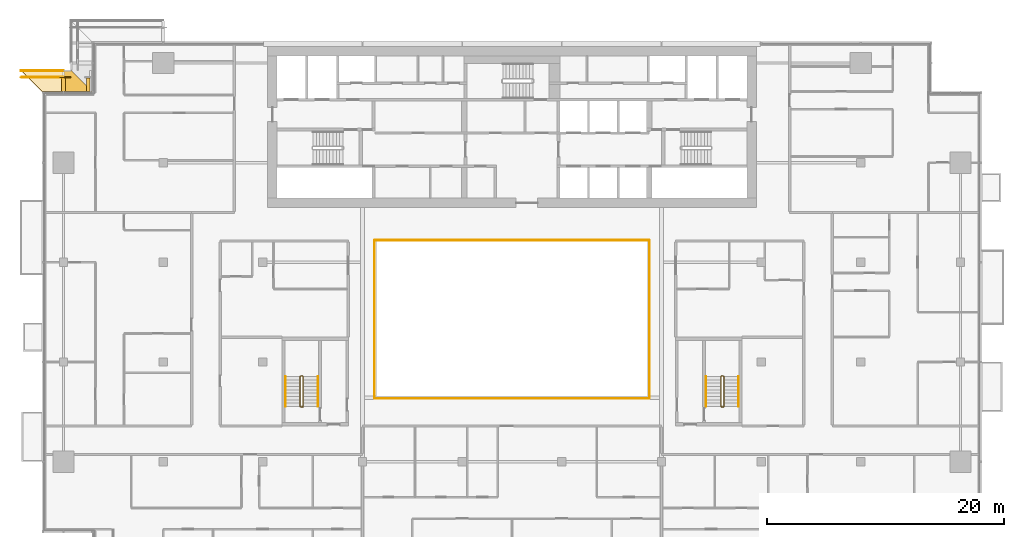
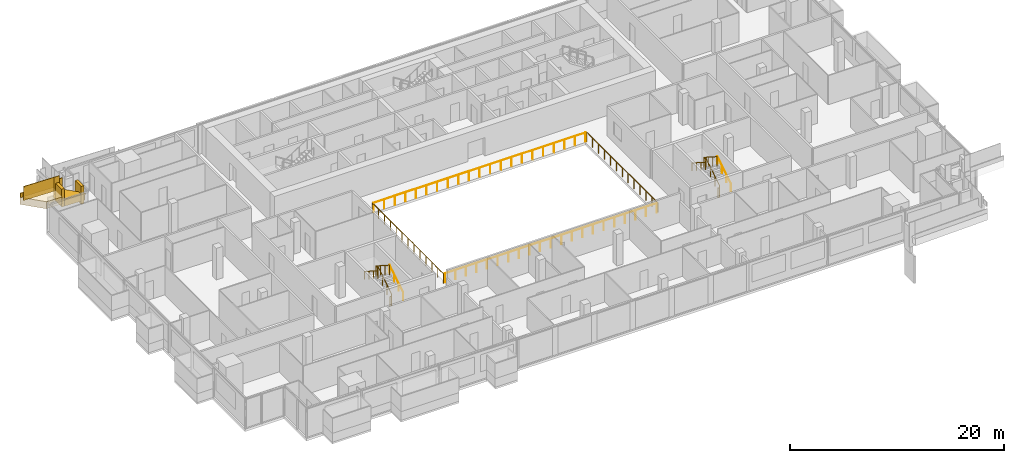
# One storey, part 26 of 30: 13 railings, 5 coverings.
"""IFC4 building model written with IfcOpenShell, lengths in metres."""

from ifc_helpers import new_model, si_unit, direction, frame, origin, origin_2d, place, context, subcontext, project, spatial, polyline, rectangle, circle, outline, extrude, material, layer, layer_set, type_object, element, save


model = new_model("IFC4")

# Units and contexts
model_context = context("Model", 3, precision=1e-05, world=origin(), true_north=direction((0.0, 1.0)))
body_context = subcontext(model_context, "Body", "Model", "MODEL_VIEW")
ifc_project = project(units=[si_unit("LENGTHUNIT", "METRE"), si_unit("AREAUNIT", "SQUARE_METRE"), si_unit("VOLUMEUNIT", "CUBIC_METRE"), si_unit("PLANEANGLEUNIT", "RADIAN"), si_unit("MASSUNIT", "GRAM", prefix="KILO")], contexts=[model_context])

# Site, building, storey
site_placement = place(None, origin())
site = spatial("IfcSite", under=ifc_project, at=site_placement, CompositionType="ELEMENT")
building_placement = place(site_placement, origin())
building = spatial("IfcBuilding", under=site, at=building_placement, Name="Saffron Gate Tower", CompositionType="ELEMENT")
storey_placement = place(building_placement, frame((0.0, 0.0, 158.25)))
storey = spatial("IfcBuildingStorey", under=building, at=storey_placement, Name="L38", CompositionType="ELEMENT", Elevation=158.25)

# Railings
ifc_material_1 = material(Name="Stainless steel and laminated glass", Category="steel")
railing_type_1 = type_object("IfcRailingType", Name="AG1 Atrium edge guard 1100", PredefinedType="GUARDRAIL", material=ifc_material_1)
railing_1_placement = place(storey_placement, frame((76.02001953125, 45.5400390625, 0.0)))
element("IfcRailing", 1, at=railing_1_placement, inside=storey, type_object=railing_type_1, Name="Guard C2-1", PredefinedType="GUARDRAIL", context=body_context, shape_type="SweptSolid", body=[
    extrude(circle(Radius=0.02392578125, at=origin_2d()), frame((0.0, 0.0, 1.076171875), z_axis=(0.0, 1.0, 0.0), x_axis=(-1.0, 0.0, 0.0)), (0.0, 0.0, 1.0), 13.320068359375),
    extrude(circle(Radius=0.02099609375, at=origin_2d()), origin(), (0.0, 0.0, 1.0), 1.052001953125),
    extrude(circle(Radius=0.02099609375, at=origin_2d()), frame((0.0, 1.110107421875, 0.0)), (0.0, 0.0, 1.0), 1.052001953125),
    extrude(circle(Radius=0.02099609375, at=origin_2d()), frame((0.0, 2.219970703125, 0.0)), (0.0, 0.0, 1.0), 1.052001953125),
    extrude(circle(Radius=0.02099609375, at=origin_2d()), frame((0.0, 3.330078125, 0.0)), (0.0, 0.0, 1.0), 1.052001953125),
    extrude(circle(Radius=0.02099609375, at=origin_2d()), frame((0.0, 4.43994140625, 0.0)), (0.0, 0.0, 1.0), 1.052001953125),
    extrude(circle(Radius=0.02099609375, at=origin_2d()), frame((0.0, 5.550048828125, 0.0)), (0.0, 0.0, 1.0), 1.052001953125),
    extrude(circle(Radius=0.02099609375, at=origin_2d()), frame((0.0, 6.66015625, 0.0)), (0.0, 0.0, 1.0), 1.052001953125),
    extrude(circle(Radius=0.02099609375, at=origin_2d()), frame((0.0, 7.77001953125, 0.0)), (0.0, 0.0, 1.0), 1.052001953125),
    extrude(circle(Radius=0.02099609375, at=origin_2d()), frame((0.0, 8.880126953125, 0.0)), (0.0, 0.0, 1.0), 1.052001953125),
    extrude(circle(Radius=0.02099609375, at=origin_2d()), frame((0.0, 9.989990234375, 0.0)), (0.0, 0.0, 1.0), 1.052001953125),
    extrude(circle(Radius=0.02099609375, at=origin_2d()), frame((0.0, 11.10009765625, 0.0)), (0.0, 0.0, 1.0), 1.052001953125),
    extrude(circle(Radius=0.02099609375, at=origin_2d()), frame((0.0, 12.2099609375, 0.0)), (0.0, 0.0, 1.0), 1.052001953125),
    extrude(circle(Radius=0.02099609375, at=origin_2d()), frame((0.0, 13.320068359375, 0.0)), (0.0, 0.0, 1.0), 1.052001953125),
])
railing_2_placement = place(storey_placement, frame((76.139892578125, 58.860107421875, 0.0)))
element("IfcRailing", 2, at=railing_2_placement, inside=storey, type_object=railing_type_1, Name="Guard C2-2", PredefinedType="GUARDRAIL", context=body_context, shape_type="SweptSolid", body=[
    extrude(circle(Radius=0.02392578125, at=origin_2d()), frame((0.0, 0.0, 1.076171875), z_axis=(1.0, 0.0, 0.0), x_axis=(0.0, 1.0, 0.0)), (0.0, 0.0, 1.0), 22.920166015625),
    extrude(circle(Radius=0.02099609375, at=origin_2d()), origin(), (0.0, 0.0, 1.0), 1.052001953125),
    extrude(circle(Radius=0.02099609375, at=origin_2d()), frame((1.14599609375, 0.0, 0.0)), (0.0, 0.0, 1.0), 1.052001953125),
    extrude(circle(Radius=0.02099609375, at=origin_2d()), frame((2.2919921875, 0.0, 0.0)), (0.0, 0.0, 1.0), 1.052001953125),
    extrude(circle(Radius=0.02099609375, at=origin_2d()), frame((3.43798828125, 0.0, 0.0)), (0.0, 0.0, 1.0), 1.052001953125),
    extrude(circle(Radius=0.02099609375, at=origin_2d()), frame((4.583984375, 0.0, 0.0)), (0.0, 0.0, 1.0), 1.052001953125),
    extrude(circle(Radius=0.02099609375, at=origin_2d()), frame((5.72998046875, 0.0, 0.0)), (0.0, 0.0, 1.0), 1.052001953125),
    extrude(circle(Radius=0.02099609375, at=origin_2d()), frame((6.8759765625, 0.0, 0.0)), (0.0, 0.0, 1.0), 1.052001953125),
    extrude(circle(Radius=0.02099609375, at=origin_2d()), frame((8.02197265625, 0.0, 0.0)), (0.0, 0.0, 1.0), 1.052001953125),
    extrude(circle(Radius=0.02099609375, at=origin_2d()), frame((9.16796875, 0.0, 0.0)), (0.0, 0.0, 1.0), 1.052001953125),
    extrude(circle(Radius=0.02099609375, at=origin_2d()), frame((10.31396484375, 0.0, 0.0)), (0.0, 0.0, 1.0), 1.052001953125),
    extrude(circle(Radius=0.02099609375, at=origin_2d()), frame((11.4599609375, 0.0, 0.0)), (0.0, 0.0, 1.0), 1.052001953125),
    extrude(circle(Radius=0.02099609375, at=origin_2d()), frame((12.606201171875, 0.0, 0.0)), (0.0, 0.0, 1.0), 1.052001953125),
    extrude(circle(Radius=0.02099609375, at=origin_2d()), frame((13.752197265625, 0.0, 0.0)), (0.0, 0.0, 1.0), 1.052001953125),
    extrude(circle(Radius=0.02099609375, at=origin_2d()), frame((14.898193359375, 0.0, 0.0)), (0.0, 0.0, 1.0), 1.052001953125),
    extrude(circle(Radius=0.02099609375, at=origin_2d()), frame((16.044189453125, 0.0, 0.0)), (0.0, 0.0, 1.0), 1.052001953125),
    extrude(circle(Radius=0.02099609375, at=origin_2d()), frame((17.190185546875, 0.0, 0.0)), (0.0, 0.0, 1.0), 1.052001953125),
    extrude(circle(Radius=0.02099609375, at=origin_2d()), frame((18.336181640625, 0.0, 0.0)), (0.0, 0.0, 1.0), 1.052001953125),
    extrude(circle(Radius=0.02099609375, at=origin_2d()), frame((19.482177734375, 0.0, 0.0)), (0.0, 0.0, 1.0), 1.052001953125),
    extrude(circle(Radius=0.02099609375, at=origin_2d()), frame((20.628173828125, 0.0, 0.0)), (0.0, 0.0, 1.0), 1.052001953125),
    extrude(circle(Radius=0.02099609375, at=origin_2d()), frame((21.774169921875, 0.0, 0.0)), (0.0, 0.0, 1.0), 1.052001953125),
    extrude(circle(Radius=0.02099609375, at=origin_2d()), frame((22.920166015625, 0.0, 0.0)), (0.0, 0.0, 1.0), 1.052001953125),
])
railing_3_placement = place(storey_placement, frame((99.179931640625, 58.860107421875, 0.0)))
element("IfcRailing", 3, at=railing_3_placement, inside=storey, type_object=railing_type_1, Name="Guard C2-3", PredefinedType="GUARDRAIL", context=body_context, shape_type="SweptSolid", body=[
    extrude(circle(Radius=0.02392578125, at=origin_2d()), frame((0.0, 0.0, 1.076171875), z_axis=(0.0, -1.0, 0.0), x_axis=(1.0, 0.0, 0.0)), (0.0, 0.0, 1.0), 13.320068359375),
    extrude(circle(Radius=0.02099609375, at=origin_2d()), origin(), (0.0, 0.0, 1.0), 1.052001953125),
    extrude(circle(Radius=0.02099609375, at=origin_2d()), frame((0.0, -1.110107421875, 0.0)), (0.0, 0.0, 1.0), 1.052001953125),
    extrude(circle(Radius=0.02099609375, at=origin_2d()), frame((0.0, -2.219970703125, 0.0)), (0.0, 0.0, 1.0), 1.052001953125),
    extrude(circle(Radius=0.02099609375, at=origin_2d()), frame((0.0, -3.330078125, 0.0)), (0.0, 0.0, 1.0), 1.052001953125),
    extrude(circle(Radius=0.02099609375, at=origin_2d()), frame((0.0, -4.43994140625, 0.0)), (0.0, 0.0, 1.0), 1.052001953125),
    extrude(circle(Radius=0.02099609375, at=origin_2d()), frame((0.0, -5.550048828125, 0.0)), (0.0, 0.0, 1.0), 1.052001953125),
    extrude(circle(Radius=0.02099609375, at=origin_2d()), frame((0.0, -6.66015625, 0.0)), (0.0, 0.0, 1.0), 1.052001953125),
    extrude(circle(Radius=0.02099609375, at=origin_2d()), frame((0.0, -7.77001953125, 0.0)), (0.0, 0.0, 1.0), 1.052001953125),
    extrude(circle(Radius=0.02099609375, at=origin_2d()), frame((0.0, -8.880126953125, 0.0)), (0.0, 0.0, 1.0), 1.052001953125),
    extrude(circle(Radius=0.02099609375, at=origin_2d()), frame((0.0, -9.989990234375, 0.0)), (0.0, 0.0, 1.0), 1.052001953125),
    extrude(circle(Radius=0.02099609375, at=origin_2d()), frame((0.0, -11.10009765625, 0.0)), (0.0, 0.0, 1.0), 1.052001953125),
    extrude(circle(Radius=0.02099609375, at=origin_2d()), frame((0.0, -12.2099609375, 0.0)), (0.0, 0.0, 1.0), 1.052001953125),
    extrude(circle(Radius=0.02099609375, at=origin_2d()), frame((0.0, -13.320068359375, 0.0)), (0.0, 0.0, 1.0), 1.052001953125),
])
railing_4_placement = place(storey_placement, frame((99.06005859375, 45.5400390625, 0.0)))
element("IfcRailing", 4, at=railing_4_placement, inside=storey, type_object=railing_type_1, Name="Guard C2-4", PredefinedType="GUARDRAIL", context=body_context, shape_type="SweptSolid", body=[
    extrude(circle(Radius=0.02392578125, at=origin_2d()), frame((0.0, 0.0, 1.076171875), z_axis=(-1.0, 0.0, 0.0), x_axis=(0.0, -1.0, 0.0)), (0.0, 0.0, 1.0), 22.920166015625),
    extrude(circle(Radius=0.02099609375, at=origin_2d()), origin(), (0.0, 0.0, 1.0), 1.052001953125),
    extrude(circle(Radius=0.02099609375, at=origin_2d()), frame((-1.14599609375, 0.0, 0.0)), (0.0, 0.0, 1.0), 1.052001953125),
    extrude(circle(Radius=0.02099609375, at=origin_2d()), frame((-2.2919921875, 0.0, 0.0)), (0.0, 0.0, 1.0), 1.052001953125),
    extrude(circle(Radius=0.02099609375, at=origin_2d()), frame((-3.43798828125, 0.0, 0.0)), (0.0, 0.0, 1.0), 1.052001953125),
    extrude(circle(Radius=0.02099609375, at=origin_2d()), frame((-4.583984375, 0.0, 0.0)), (0.0, 0.0, 1.0), 1.052001953125),
    extrude(circle(Radius=0.02099609375, at=origin_2d()), frame((-5.72998046875, 0.0, 0.0)), (0.0, 0.0, 1.0), 1.052001953125),
    extrude(circle(Radius=0.02099609375, at=origin_2d()), frame((-6.8759765625, 0.0, 0.0)), (0.0, 0.0, 1.0), 1.052001953125),
    extrude(circle(Radius=0.02099609375, at=origin_2d()), frame((-8.02197265625, 0.0, 0.0)), (0.0, 0.0, 1.0), 1.052001953125),
    extrude(circle(Radius=0.02099609375, at=origin_2d()), frame((-9.16796875, 0.0, 0.0)), (0.0, 0.0, 1.0), 1.052001953125),
    extrude(circle(Radius=0.02099609375, at=origin_2d()), frame((-10.31396484375, 0.0, 0.0)), (0.0, 0.0, 1.0), 1.052001953125),
    extrude(circle(Radius=0.02099609375, at=origin_2d()), frame((-11.4599609375, 0.0, 0.0)), (0.0, 0.0, 1.0), 1.052001953125),
    extrude(circle(Radius=0.02099609375, at=origin_2d()), frame((-12.606201171875, 0.0, 0.0)), (0.0, 0.0, 1.0), 1.052001953125),
    extrude(circle(Radius=0.02099609375, at=origin_2d()), frame((-13.752197265625, 0.0, 0.0)), (0.0, 0.0, 1.0), 1.052001953125),
    extrude(circle(Radius=0.02099609375, at=origin_2d()), frame((-14.898193359375, 0.0, 0.0)), (0.0, 0.0, 1.0), 1.052001953125),
    extrude(circle(Radius=0.02099609375, at=origin_2d()), frame((-16.044189453125, 0.0, 0.0)), (0.0, 0.0, 1.0), 1.052001953125),
    extrude(circle(Radius=0.02099609375, at=origin_2d()), frame((-17.190185546875, 0.0, 0.0)), (0.0, 0.0, 1.0), 1.052001953125),
    extrude(circle(Radius=0.02099609375, at=origin_2d()), frame((-18.336181640625, 0.0, 0.0)), (0.0, 0.0, 1.0), 1.052001953125),
    extrude(circle(Radius=0.02099609375, at=origin_2d()), frame((-19.482177734375, 0.0, 0.0)), (0.0, 0.0, 1.0), 1.052001953125),
    extrude(circle(Radius=0.02099609375, at=origin_2d()), frame((-20.628173828125, 0.0, 0.0)), (0.0, 0.0, 1.0), 1.052001953125),
    extrude(circle(Radius=0.02099609375, at=origin_2d()), frame((-21.774169921875, 0.0, 0.0)), (0.0, 0.0, 1.0), 1.052001953125),
    extrude(circle(Radius=0.02099609375, at=origin_2d()), frame((-22.920166015625, 0.0, 0.0)), (0.0, 0.0, 1.0), 1.052001953125),
])
railing_type_2 = type_object("IfcRailingType", Name="CR1 Stair guard 1100", PredefinedType="GUARDRAIL", material=ifc_material_1)
railing_5_placement = place(storey_placement, frame((69.800048828125, 44.800048828125, 0.0)))
element("IfcRailing", 5, at=railing_5_placement, inside=storey, type_object=railing_type_2, Name="L38 ST-D stair guard 1", PredefinedType="GUARDRAIL", context=body_context, shape_type="SweptSolid", body=[
    extrude(circle(Radius=0.02392578125, at=origin_2d()), frame((0.0, 0.0, 1.076171875), z_axis=(1.0, 0.0, 0.0), x_axis=(0.0, 1.0, 0.0)), (0.0, 0.0, 1.0), 0.14990234375),
    extrude(circle(Radius=0.02392578125, at=origin_2d()), frame((0.14990234375, 0.0, 1.076171875), z_axis=(0.258847668887, 0.258847668887, 0.930588936439), x_axis=(-0.707106781187, 0.707106781187, 0.0)), (0.0, 0.0, 1.0), 0.193359375),
    extrude(circle(Radius=0.02392578125, at=origin_2d()), frame((0.199951171875, 0.050048828125, 1.255859375), z_axis=(0.0, 0.841162588446, 0.540782303519), x_axis=(-1.0, 0.0, 0.0)), (0.0, 0.0, 1.0), 2.995849609375),
    extrude(circle(Radius=0.02392578125, at=origin_2d()), frame((0.199951171875, 2.570068359375, 2.8759765625), z_axis=(-0.708833529934, 0.705375805398, 0.0), x_axis=(-0.705375805398, -0.708833529934, 0.0)), (0.0, 0.0, 1.0), 0.070556640625),
    extrude(circle(Radius=0.02392578125, at=origin_2d()), frame((0.14990234375, 2.619873046875, 2.8759765625), z_axis=(-1.0, 0.0, 0.0), x_axis=(0.0, -1.0, 0.0)), (0.0, 0.0, 1.0), 0.14990234375),
    extrude(circle(Radius=0.02392578125, at=origin_2d()), frame((0.0, 2.619873046875, 2.8759765625), z_axis=(-0.258932105505, -0.257669022063, 0.930892496375), x_axis=(0.705375805398, -0.708833529934, 0.0)), (0.0, 0.0, 1.0), 0.193359375),
    extrude(circle(Radius=0.02392578125, at=origin_2d()), frame((-0.050048828125, 2.570068359375, 3.05615234375), z_axis=(0.0, -0.841162588446, 0.540782303519), x_axis=(1.0, 0.0, 0.0)), (0.0, 0.0, 1.0), 2.995849609375),
    extrude(circle(Radius=0.02099609375, at=origin_2d()), origin(), (0.0, 0.0, 1.0), 1.052001953125),
    extrude(circle(Radius=0.02099609375, at=origin_2d()), frame((0.14990234375, 0.0, 0.0)), (0.0, 0.0, 1.0), 1.052001953125),
    extrude(circle(Radius=0.02099609375, at=origin_2d()), frame((0.199951171875, 0.050048828125, 0.179931640625)), (0.0, 0.0, 1.0), 1.052001953125),
    extrude(circle(Radius=0.02099609375, at=origin_2d()), frame((0.199951171875, 0.89013671875, 0.719970703125)), (0.0, 0.0, 1.0), 1.052001953125),
    extrude(circle(Radius=0.02099609375, at=origin_2d()), frame((0.199951171875, 1.72998046875, 1.260009765625)), (0.0, 0.0, 1.0), 1.052001953125),
    extrude(circle(Radius=0.02099609375, at=origin_2d()), frame((0.199951171875, 2.570068359375, 1.800048828125)), (0.0, 0.0, 1.0), 1.052001953125),
    extrude(circle(Radius=0.02099609375, at=origin_2d()), frame((0.14990234375, 2.619873046875, 1.800048828125)), (0.0, 0.0, 1.0), 1.052001953125),
    extrude(circle(Radius=0.02099609375, at=origin_2d()), frame((0.0, 2.619873046875, 1.800048828125)), (0.0, 0.0, 1.0), 1.052001953125),
    extrude(circle(Radius=0.02099609375, at=origin_2d()), frame((-0.050048828125, 2.570068359375, 1.97998046875)), (0.0, 0.0, 1.0), 1.052001953125),
    extrude(circle(Radius=0.02099609375, at=origin_2d()), frame((-0.050048828125, 1.72998046875, 2.52001953125)), (0.0, 0.0, 1.0), 1.052001953125),
    extrude(circle(Radius=0.02099609375, at=origin_2d()), frame((-0.050048828125, 0.89013671875, 3.06005859375)), (0.0, 0.0, 1.0), 1.052001953125),
    extrude(circle(Radius=0.02099609375, at=origin_2d()), frame((-0.050048828125, 0.050048828125, 3.60009765625)), (0.0, 0.0, 1.0), 1.052001953125),
])
railing_6_placement = place(storey_placement, frame((105.25, 44.800048828125, 0.0)))
element("IfcRailing", 6, at=railing_6_placement, inside=storey, type_object=railing_type_2, Name="L38 ST-E stair guard 1", PredefinedType="GUARDRAIL", context=body_context, shape_type="SweptSolid", body=[
    extrude(circle(Radius=0.02392578125, at=origin_2d()), frame((0.0, 0.0, 1.076171875), z_axis=(1.0, 0.0, 0.0), x_axis=(0.0, 1.0, 0.0)), (0.0, 0.0, 1.0), 0.14990234375),
    extrude(circle(Radius=0.02392578125, at=origin_2d()), frame((0.14990234375, 0.0, 1.076171875), z_axis=(0.258847668887, 0.258847668887, 0.930588936439), x_axis=(-0.707106781187, 0.707106781187, 0.0)), (0.0, 0.0, 1.0), 0.193359375),
    extrude(circle(Radius=0.02392578125, at=origin_2d()), frame((0.199951171875, 0.050048828125, 1.255859375), z_axis=(0.0, 0.841162588446, 0.540782303519), x_axis=(-1.0, 0.0, 0.0)), (0.0, 0.0, 1.0), 2.995849609375),
    extrude(circle(Radius=0.02392578125, at=origin_2d()), frame((0.199951171875, 2.570068359375, 2.8759765625), z_axis=(-0.708833529934, 0.705375805398, 0.0), x_axis=(-0.705375805398, -0.708833529934, 0.0)), (0.0, 0.0, 1.0), 0.070556640625),
    extrude(circle(Radius=0.02392578125, at=origin_2d()), frame((0.14990234375, 2.619873046875, 2.8759765625), z_axis=(-1.0, 0.0, 0.0), x_axis=(0.0, -1.0, 0.0)), (0.0, 0.0, 1.0), 0.14990234375),
    extrude(circle(Radius=0.02392578125, at=origin_2d()), frame((0.0, 2.619873046875, 2.8759765625), z_axis=(-0.258932105505, -0.257669022063, 0.930892496375), x_axis=(0.705375805398, -0.708833529934, 0.0)), (0.0, 0.0, 1.0), 0.193359375),
    extrude(circle(Radius=0.02392578125, at=origin_2d()), frame((-0.050048828125, 2.570068359375, 3.05615234375), z_axis=(0.0, -0.841162588446, 0.540782303519), x_axis=(1.0, 0.0, 0.0)), (0.0, 0.0, 1.0), 2.995849609375),
    extrude(circle(Radius=0.02099609375, at=origin_2d()), origin(), (0.0, 0.0, 1.0), 1.052001953125),
    extrude(circle(Radius=0.02099609375, at=origin_2d()), frame((0.14990234375, 0.0, 0.0)), (0.0, 0.0, 1.0), 1.052001953125),
    extrude(circle(Radius=0.02099609375, at=origin_2d()), frame((0.199951171875, 0.050048828125, 0.179931640625)), (0.0, 0.0, 1.0), 1.052001953125),
    extrude(circle(Radius=0.02099609375, at=origin_2d()), frame((0.199951171875, 0.89013671875, 0.719970703125)), (0.0, 0.0, 1.0), 1.052001953125),
    extrude(circle(Radius=0.02099609375, at=origin_2d()), frame((0.199951171875, 1.72998046875, 1.260009765625)), (0.0, 0.0, 1.0), 1.052001953125),
    extrude(circle(Radius=0.02099609375, at=origin_2d()), frame((0.199951171875, 2.570068359375, 1.800048828125)), (0.0, 0.0, 1.0), 1.052001953125),
    extrude(circle(Radius=0.02099609375, at=origin_2d()), frame((0.14990234375, 2.619873046875, 1.800048828125)), (0.0, 0.0, 1.0), 1.052001953125),
    extrude(circle(Radius=0.02099609375, at=origin_2d()), frame((0.0, 2.619873046875, 1.800048828125)), (0.0, 0.0, 1.0), 1.052001953125),
    extrude(circle(Radius=0.02099609375, at=origin_2d()), frame((-0.050048828125, 2.570068359375, 1.97998046875)), (0.0, 0.0, 1.0), 1.052001953125),
    extrude(circle(Radius=0.02099609375, at=origin_2d()), frame((-0.050048828125, 1.72998046875, 2.52001953125)), (0.0, 0.0, 1.0), 1.052001953125),
    extrude(circle(Radius=0.02099609375, at=origin_2d()), frame((-0.050048828125, 0.89013671875, 3.06005859375)), (0.0, 0.0, 1.0), 1.052001953125),
    extrude(circle(Radius=0.02099609375, at=origin_2d()), frame((-0.050048828125, 0.050048828125, 3.60009765625)), (0.0, 0.0, 1.0), 1.052001953125),
])
ifc_material_2 = material(Name="Stainless steel", Category="steel")
railing_type_3 = type_object("IfcRailingType", Name="CR2 Stair handrail 900", PredefinedType="HANDRAIL", material=ifc_material_2)
railing_7_placement = place(storey_placement, frame((71.25, 44.85009765625, 0.179931640625)))
element("IfcRailing", 7, at=railing_7_placement, inside=storey, type_object=railing_type_3, Name="L38 ST-D stair handrail 1", PredefinedType="HANDRAIL", context=body_context, shape_type="SweptSolid", body=[
    extrude(circle(Radius=0.02392578125, at=origin_2d()), frame((0.0, 0.0, 0.8759765625), z_axis=(0.0, 0.841162588446, 0.540782303519), x_axis=(-1.0, 0.0, 0.0)), (0.0, 0.0, 1.0), 2.995849609375),
    extrude(circle(Radius=0.02099609375, at=origin_2d()), origin(), (0.0, 0.0, 1.0), 0.851806640625),
    extrude(circle(Radius=0.02099609375, at=origin_2d()), frame((0.0, 0.840087890625, 0.5400390625)), (0.0, 0.0, 1.0), 0.851806640625),
    extrude(circle(Radius=0.02099609375, at=origin_2d()), frame((0.0, 1.679931640625, 1.080078125)), (0.0, 0.0, 1.0), 0.851806640625),
    extrude(circle(Radius=0.02099609375, at=origin_2d()), frame((0.0, 2.52001953125, 1.6201171875)), (0.0, 0.0, 1.0), 0.851806640625),
])
railing_8_placement = place(storey_placement, frame((68.5, 47.3701171875, 1.97998046875)))
element("IfcRailing", 8, at=railing_8_placement, inside=storey, type_object=railing_type_3, Name="L38 ST-D stair handrail 2", PredefinedType="HANDRAIL", context=body_context, shape_type="SweptSolid", body=[
    extrude(circle(Radius=0.02392578125, at=origin_2d()), frame((0.0, 0.0, 0.8759765625), z_axis=(0.0, -0.841162588446, 0.540782303519), x_axis=(1.0, 0.0, 0.0)), (0.0, 0.0, 1.0), 2.995849609375),
    extrude(circle(Radius=0.02099609375, at=origin_2d()), origin(), (0.0, 0.0, 1.0), 0.851806640625),
    extrude(circle(Radius=0.02099609375, at=origin_2d()), frame((0.0, -0.840087890625, 0.5400390625)), (0.0, 0.0, 1.0), 0.851806640625),
    extrude(circle(Radius=0.02099609375, at=origin_2d()), frame((0.0, -1.679931640625, 1.080078125)), (0.0, 0.0, 1.0), 0.851806640625),
    extrude(circle(Radius=0.02099609375, at=origin_2d()), frame((0.0, -2.52001953125, 1.6201171875)), (0.0, 0.0, 1.0), 0.851806640625),
])
railing_9_placement = place(storey_placement, frame((106.699951171875, 44.85009765625, 0.179931640625)))
element("IfcRailing", 9, at=railing_9_placement, inside=storey, type_object=railing_type_3, Name="L38 ST-E stair handrail 1", PredefinedType="HANDRAIL", context=body_context, shape_type="SweptSolid", body=[
    extrude(circle(Radius=0.02392578125, at=origin_2d()), frame((0.0, 0.0, 0.8759765625), z_axis=(0.0, 0.841162588446, 0.540782303519), x_axis=(-1.0, 0.0, 0.0)), (0.0, 0.0, 1.0), 2.995849609375),
    extrude(circle(Radius=0.02099609375, at=origin_2d()), origin(), (0.0, 0.0, 1.0), 0.851806640625),
    extrude(circle(Radius=0.02099609375, at=origin_2d()), frame((0.0, 0.840087890625, 0.5400390625)), (0.0, 0.0, 1.0), 0.851806640625),
    extrude(circle(Radius=0.02099609375, at=origin_2d()), frame((0.0, 1.679931640625, 1.080078125)), (0.0, 0.0, 1.0), 0.851806640625),
    extrude(circle(Radius=0.02099609375, at=origin_2d()), frame((0.0, 2.52001953125, 1.6201171875)), (0.0, 0.0, 1.0), 0.851806640625),
])
railing_10_placement = place(storey_placement, frame((103.949951171875, 47.3701171875, 1.97998046875)))
element("IfcRailing", 10, at=railing_10_placement, inside=storey, type_object=railing_type_3, Name="L38 ST-E stair handrail 2", PredefinedType="HANDRAIL", context=body_context, shape_type="SweptSolid", body=[
    extrude(circle(Radius=0.02392578125, at=origin_2d()), frame((0.0, 0.0, 0.8759765625), z_axis=(0.0, -0.841162588446, 0.540782303519), x_axis=(1.0, 0.0, 0.0)), (0.0, 0.0, 1.0), 2.995849609375),
    extrude(circle(Radius=0.02099609375, at=origin_2d()), origin(), (0.0, 0.0, 1.0), 0.851806640625),
    extrude(circle(Radius=0.02099609375, at=origin_2d()), frame((0.0, -0.840087890625, 0.5400390625)), (0.0, 0.0, 1.0), 0.851806640625),
    extrude(circle(Radius=0.02099609375, at=origin_2d()), frame((0.0, -1.679931640625, 1.080078125)), (0.0, 0.0, 1.0), 0.851806640625),
    extrude(circle(Radius=0.02099609375, at=origin_2d()), frame((0.0, -2.52001953125, 1.6201171875)), (0.0, 0.0, 1.0), 0.851806640625),
])

# Coverings
ifc_material_3 = material(Name="Timber, thermally modified ash", Category="wood")
ifc_layer_1 = layer(ifc_material_3, 0.800048828125)
ifc_layer_set_1 = layer_set([ifc_layer_1], Name="LD1 ledge timber")
covering_type_1 = type_object("IfcCoveringType", Name="LD1 ledge timber", PredefinedType="CLADDING", material=ifc_layer_set_1)
covering_1_placement = place(storey_placement, frame((52.199951171875, 71.39990234375, 2.97802734375), z_axis=(0.028798988267, 2.8677152e-05, 0.999585222706), x_axis=(-0.999585223117, 6.17e-10, 0.028798988279)))
element("IfcCovering", 11, at=covering_1_placement, inside=storey, type_object=covering_type_1, Name="LEDGE", PredefinedType="CLADDING", context=body_context, shape_type="SweptSolid", body=[
    extrude(outline(polyline([(0.0, 0.0), (2.400896693585025, -4.235164736271502e-22), (2.400896694694882, -1.8000488273848385), (1.8007927832284332, -1.8000488292351673), (0.0, 0.0)])), origin(), (0.0, 0.0, -1.0), 0.800048828125),
])
covering_2_placement = place(storey_placement, frame((49.800048828125, 71.39990234375, 3.39013671875), z_axis=(0.028786835276, -4.5191264e-05, 0.999585572161), x_axis=(-0.999585573182, -2.041e-09, 0.028786835305)))
element("IfcCovering", 12, at=covering_2_placement, inside=storey, type_object=covering_type_1, Name="LEDGE", PredefinedType="CLADDING", context=body_context, shape_type="SweptSolid", body=[
    extrude(outline(polyline([(0.0, 0.0), (1.8007927832406818, 0.0), (3.601592590842695, -1.8000488373153904), (-3.674631647332522e-09, -1.800048826286925), (0.0, 0.0)])), origin(), (0.0, 0.0, -1.0), 0.800048828125),
])
ifc_layer_2 = layer(ifc_material_3, 0.080078125)
ifc_layer_set_2 = layer_set([ifc_layer_2], Name="LD2 ledge planter trough")
covering_type_2 = type_object("IfcCoveringType", Name="LD2 ledge planter trough", PredefinedType="CLADDING", material=ifc_layer_set_2)
covering_3_placement = place(storey_placement, frame((49.800048828125, 73.199951171875, 3.39013671875), z_axis=(0.0, 1.0, 0.0), x_axis=(-0.99958492274, 0.0, 0.028809412191)))
element("IfcCovering", 13, at=covering_3_placement, inside=storey, type_object=covering_type_2, Name="LEDGE planter trough", PredefinedType="CLADDING", context=body_context, shape_type="SweptSolid", body=[
    extrude(outline(polyline([(0.0, 0.0), (3.601592595435983, 0.0), (3.6159973015313485, 0.4997924613700232), (0.014404706095365512, 0.4997924613700232), (0.0, 0.0)])), origin(), (0.0, 0.0, -1.0), 0.080078125),
])
ifc_layer_3 = layer(ifc_material_3, 0.300048828125)
ifc_layer_set_3 = layer_set([ifc_layer_3], Name="LD3 ledge riser fin")
covering_type_3 = type_object("IfcCoveringType", Name="LD3 ledge riser fin", PredefinedType="CLADDING", material=ifc_layer_set_3)
for number, where, z_axis, x_axis, name in (
    (14, (51.89990234375, 71.9599609375, 1.8349609375), (0.0, 0.0, 1.0), (-1.0, 0.0, 0.0), "LEDGE riser fin"),
    (15, (49.800048828125, 71.9599609375, 2.2470703125), (0.0, 0.0, 1.0), (-1.0, 0.0, 0.0), "LEDGE riser fin"),
):
    element("IfcCovering", number, at=place(storey_placement, frame(where, z_axis=z_axis, x_axis=x_axis)), inside=storey, type_object=covering_type_3, Name=name, PredefinedType="CLADDING", context=body_context, shape_type="SweptSolid", body=[
        extrude(rectangle(XDim=0.300048828125, YDim=1.1201171875, at=origin_2d()), origin(), (0.0, 0.0, 1.0), 2.04296875),
    ])

# Railings
railing_type_4 = type_object("IfcRailingType", Name="LG1 ledge balustrade", PredefinedType="BALUSTRADE", material=ifc_material_3)
railing_11_placement = place(storey_placement, frame((50.39990234375, 72.60009765625, 3.02978515625)))
element("IfcRailing", 16, at=railing_11_placement, inside=storey, type_object=railing_type_4, Name="LEDGE BALUSTRADE", PredefinedType="BALUSTRADE", context=body_context, shape_type="SweptSolid", body=[
    extrude(rectangle(XDim=0.06005859375, YDim=1.60009765625, at=origin_2d()), frame((0.0, 0.0, 0.800048828125), z_axis=(-0.999582742162, 0.0, 0.028884971385), x_axis=(0.0, -1.0, 0.0)), (0.0, 0.0, 1.0), 0.60009765625),
])
railing_12_placement = place(storey_placement, frame((49.800048828125, 72.60009765625, 3.39013671875)))
element("IfcRailing", 17, at=railing_12_placement, inside=storey, type_object=railing_type_4, Name="LEDGE BALUSTRADE", PredefinedType="BALUSTRADE", context=body_context, shape_type="SweptSolid", body=[
    extrude(rectangle(XDim=0.06005859375, YDim=1.60009765625, at=origin_2d()), frame((0.0, 0.0, 0.800048828125), z_axis=(-0.99958492274, 0.0, 0.028809412191), x_axis=(0.0, -1.0, 0.0)), (0.0, 0.0, 1.0), 3.6015625),
])
railing_13_placement = place(storey_placement, frame((50.10009765625, 72.60009765625, 3.047119140625)))
element("IfcRailing", 18, at=railing_13_placement, inside=storey, type_object=railing_type_4, Name="LEDGE BALUSTRADE", PredefinedType="BALUSTRADE", context=body_context, shape_type="SweptSolid", body=[
    extrude(rectangle(XDim=0.06005859375, YDim=1.943115234375, at=origin_2d()), frame((0.0, 0.0, 0.9716796875), z_axis=(-1.0, 0.0, 0.0), x_axis=(0.0, -1.0, 0.0)), (0.0, 0.0, 1.0), 0.60009765625),
])

save(model, "model.ifc")
